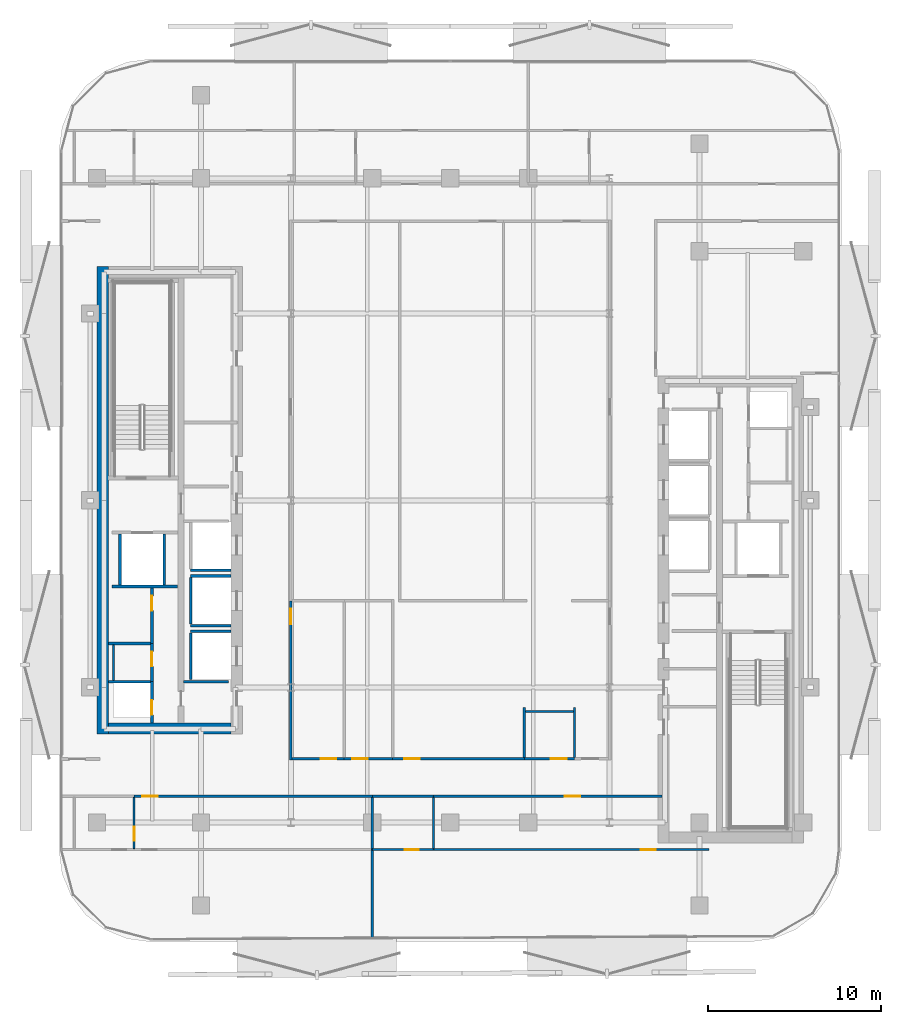
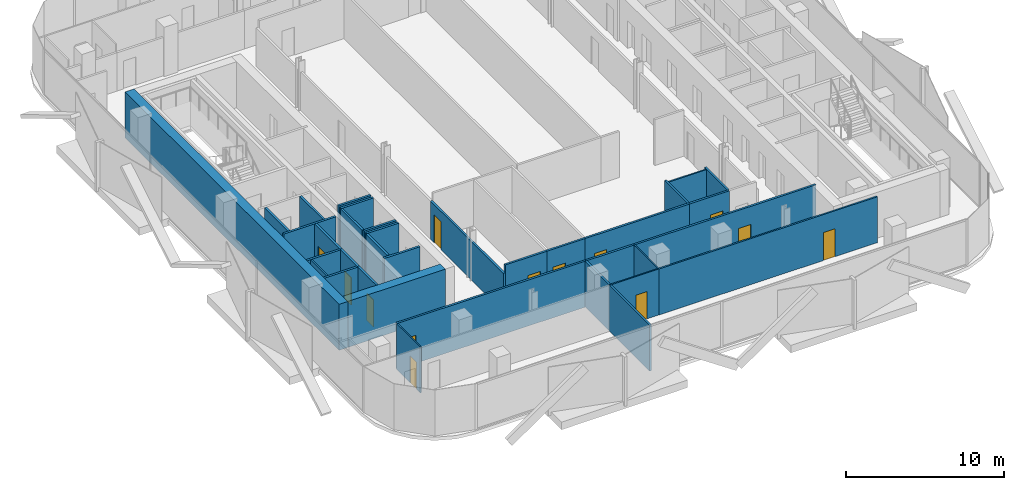
# One storey, part 3 of 16: 35 walls, 13 doors, 13 openings.
"""IFC4 building model written with IfcOpenShell, lengths in metres."""

import ifcopenshell
import ifcopenshell.guid

model = None  # the IFC model being written
_history = None  # IfcOwnerHistory: only IFC2X3 demands one
_inside = {}  # id of a spatial element -> (the spatial element, [elements in it])
_under = {}  # id of a project, library or spatial element -> (it, [spatial elements below it])
_declared = {}  # id of a project -> (the project, [libraries it declares])
_typed = {}  # id of a type object -> (the type object, [elements of that type])
_made_of = {}  # id of a material, layer set ... -> (it, [elements and type objects made of it])


def new_model(schema):
    """Start an empty IFC model of exactly this schema.

    Asked for "IFC4X3", IfcOpenShell would pick the latest addendum, in which some entities
    have other attributes; the version numbers below select the first issue.
    IFC2X3 requires an IfcOwnerHistory on every rooted entity: one is made here for all.
    """
    global model, _history
    if schema == "IFC4X3":
        model = ifcopenshell.file(schema_version=(4, 3, 0, 0))
    else:
        model = ifcopenshell.file(schema=schema)
    _inside.clear()
    _under.clear()
    _declared.clear()
    _typed.clear()
    _made_of.clear()
    _history = None
    if model.schema == "IFC2X3":
        org = make("IfcOrganization", Name="unknown")
        user = make(
            "IfcPersonAndOrganization",
            ThePerson=make("IfcPerson", FamilyName="unknown"),
            TheOrganization=org,
        )
        app = make(
            "IfcApplication",
            ApplicationDeveloper=org,
            Version="unknown",
            ApplicationFullName="unknown",
            ApplicationIdentifier="unknown",
        )
        _history = make(
            "IfcOwnerHistory",
            OwningUser=user,
            OwningApplication=app,
            ChangeAction="ADDED",
            CreationDate=0,
        )
    return model


def make(cls, **values):
    """One entity of the class cls with the attributes given. An attribute that is None is left unset."""
    return model.create_entity(
        cls, **{name: value for name, value in values.items() if value is not None}
    )


def rooted(cls, **values):
    """An entity with a GlobalId (a new one), such as an element, a storey or a relation."""
    return make(cls, GlobalId=ifcopenshell.guid.new(), OwnerHistory=_history, **values)


def si_unit(unit_type, name, prefix=None):
    """IfcSIUnit, for example si_unit("LENGTHUNIT", "METRE", prefix="MILLI")."""
    return make("IfcSIUnit", UnitType=unit_type, Prefix=prefix, Name=name)


def assignment(units):
    """IfcUnitAssignment: the units of a project."""
    return None if units is None else make("IfcUnitAssignment", Units=units)


def point(xyz):
    """IfcCartesianPoint."""
    return None if xyz is None else make("IfcCartesianPoint", Coordinates=xyz)


def direction(xyz):
    """IfcDirection."""
    return None if xyz is None else make("IfcDirection", DirectionRatios=xyz)


def frame(location, z_axis=None, x_axis=None):
    """IfcAxis2Placement3D, a coordinate frame: its origin and axes. An axis left out is left unset."""
    return make(
        "IfcAxis2Placement3D",
        Location=point(location),
        Axis=direction(z_axis),
        RefDirection=direction(x_axis),
    )


def frame_2d(location, x_axis=None):
    """IfcAxis2Placement2D, a coordinate frame in the plane: its origin and x axis."""
    return make(
        "IfcAxis2Placement2D", Location=point(location), RefDirection=direction(x_axis)
    )


def origin():
    """The frame at (0, 0, 0) with its axes left unset."""
    return frame((0.0, 0.0, 0.0))


def place(relative_to, where):
    """IfcLocalPlacement: puts the frame where relative to a parent placement (None: the world)."""
    return make(
        "IfcLocalPlacement", PlacementRelTo=relative_to, RelativePlacement=where
    )


def context(
    kind, dimensions, precision=None, world=None, true_north=None, identifier=None
):
    """IfcGeometricRepresentationContext, for example the 3D "Model" context."""
    return make(
        "IfcGeometricRepresentationContext",
        ContextIdentifier=identifier,
        ContextType=kind,
        CoordinateSpaceDimension=dimensions,
        Precision=precision,
        WorldCoordinateSystem=world,
        TrueNorth=true_north,
    )


def subcontext(parent, identifier, kind, view, scale=None):
    """IfcGeometricRepresentationSubContext, for example "Body" below "Model"."""
    return make(
        "IfcGeometricRepresentationSubContext",
        ContextIdentifier=identifier,
        ContextType=kind,
        ParentContext=parent,
        TargetScale=scale,
        TargetView=view,
    )


def project(units=None, contexts=None):
    """IfcProject with its units and contexts."""
    return rooted(
        "IfcProject",
        Name="project",
        RepresentationContexts=contexts,
        UnitsInContext=assignment(units),
    )


def spatial(cls, under=None, at=None, **own):
    """A site, building, storey or space (cls), placed at a placement, below another one or the project."""
    s = rooted(cls, ObjectPlacement=at, **own)
    if under is not None:
        _under.setdefault(under.id(), (under, []))[1].append(s)
    return s


def profile(cls, at=None, kind="AREA", **sizes):
    """A parametric profile (cls). Its sizes go by their IFC names, for example OverallWidth=200.0."""
    return make(cls, ProfileType=kind, Position=at, **sizes)


def rectangle(**sizes):
    """IfcRectangleProfileDef."""
    return profile("IfcRectangleProfileDef", **sizes)


def extrude(swept, where, along, depth):
    """IfcExtrudedAreaSolid: the profile swept, set in the frame where, extruded along a direction by depth."""
    return make(
        "IfcExtrudedAreaSolid",
        SweptArea=swept,
        Position=where,
        ExtrudedDirection=direction(along),
        Depth=depth,
    )


def shape(context_of_items, identifier, shape_type, items):
    """IfcShapeRepresentation: the items that make up one representation, for example the "Body"."""
    return make(
        "IfcShapeRepresentation",
        ContextOfItems=context_of_items,
        RepresentationIdentifier=identifier,
        RepresentationType=shape_type,
        Items=items,
    )


def material(Name=None, Category=None):
    """IfcMaterial."""
    return make("IfcMaterial", Name=Name, Category=Category)


def layer(
    of_material, thickness, ventilated=None, Name=None, Category=None, Priority=None
):
    """IfcMaterialLayer: one layer of a wall or slab, of a material (None: an air gap)."""
    return make(
        "IfcMaterialLayer",
        Material=of_material,
        LayerThickness=thickness,
        IsVentilated=ventilated,
        Name=Name,
        Category=Category,
        Priority=Priority,
    )


def layer_set(layers, Name=None):
    """IfcMaterialLayerSet."""
    return make("IfcMaterialLayerSet", MaterialLayers=layers, LayerSetName=Name)


def made_of(thing, what):
    """Note that an element or type object is made of a material, layer set ...; save() writes the relation."""
    if what is not None:
        _made_of.setdefault(what.id(), (what, []))[1].append(thing)
    return thing


def type_object(cls, material=None, **own):
    """A type object (cls), such as IfcWallType, which elements share."""
    return made_of(rooted(cls, **own), material)


def element(
    cls,
    number,
    at=None,
    inside=None,
    cuts=None,
    type_object=None,
    material=None,
    context=None,
    identifier="Body",
    shape_type=None,
    held_by="IfcProductDefinitionShape",
    body=None,
    shapes=None,
    **own,
):
    """One element of the class cls, such as IfcWall. Its Tag is "e" and its number.

    at: its placement. inside: the storey or other place that contains it. cuts: it is an
    opening in that element (IfcRelVoidsElement). A single representation is given by context,
    identifier, shape_type and body (its items); several are given by shapes. held_by: the class
    of the entity that holds the representations. save() writes the other relations.
    """
    e = rooted(cls, Tag="e%d" % number, ObjectPlacement=at, **own)
    if body is not None:
        shapes = [shape(context, identifier, shape_type, body)]
    if shapes is not None:
        e.Representation = make(held_by, Representations=shapes)
    if inside is not None:
        _inside.setdefault(inside.id(), (inside, []))[1].append(e)
    if cuts is not None:
        rooted(
            "IfcRelVoidsElement", RelatingBuildingElement=cuts, RelatedOpeningElement=e
        )
    if type_object is not None:
        _typed.setdefault(type_object.id(), (type_object, []))[1].append(e)
    return made_of(e, material)


def fill(opening, filler):
    """IfcRelFillsElement: the door or window that sits in an opening."""
    return rooted(
        "IfcRelFillsElement",
        RelatingOpeningElement=opening,
        RelatedBuildingElement=filler,
    )


def aggregate(whole, parts):
    """IfcRelAggregates: a whole, such as a stair, and the parts it consists of."""
    return rooted("IfcRelAggregates", RelatingObject=whole, RelatedObjects=parts)


def save(model, path):
    """Write the relations noted so far, then the file.

    IfcRelAggregates (storeys below a building ...), IfcRelContainedInSpatialStructure (elements
    in a storey), IfcRelDefinesByType, IfcRelAssociatesMaterial and IfcRelDeclares: one each for
    every whole, place, type object, material and project.
    """
    for whole, parts in _under.values():
        aggregate(whole, parts)
    for where, things in _inside.values():
        rooted(
            "IfcRelContainedInSpatialStructure",
            RelatedElements=things,
            RelatingStructure=where,
        )
    for kind, things in _typed.values():
        rooted("IfcRelDefinesByType", RelatedObjects=things, RelatingType=kind)
    for what, things in _made_of.values():
        rooted("IfcRelAssociatesMaterial", RelatedObjects=things, RelatingMaterial=what)
    for by, libraries in _declared.values():
        rooted("IfcRelDeclares", RelatingContext=by, RelatedDefinitions=libraries)
    model.write(path)


model = new_model("IFC4")

# Units and contexts
model_context = context("Model", 3, precision=1e-05, world=origin(), true_north=direction((0.0, 1.0)))
body_context = subcontext(model_context, "Body", "Model", "MODEL_VIEW")
ifc_project = project(units=[si_unit("LENGTHUNIT", "METRE"), si_unit("AREAUNIT", "SQUARE_METRE"), si_unit("VOLUMEUNIT", "CUBIC_METRE"), si_unit("PLANEANGLEUNIT", "RADIAN"), si_unit("MASSUNIT", "GRAM", prefix="KILO")], contexts=[model_context])

# Site, building, storey
site_placement = place(None, origin())
site = spatial("IfcSite", under=ifc_project, at=site_placement, CompositionType="ELEMENT")
building_placement = place(site_placement, origin())
building = spatial("IfcBuilding", under=site, at=building_placement, Name="Khairoan Windgate Tower", CompositionType="ELEMENT")
storey_placement = place(building_placement, frame((0.0, 0.0, 184.0)))
storey = spatial("IfcBuildingStorey", under=building, at=storey_placement, Name="L42", CompositionType="ELEMENT", Elevation=184.0)

# Wall, opening, door
ifc_material_1 = material(Name="Moisture-Resistant Gypsum Partition", Category="gypsum")
ifc_layer_1 = layer(ifc_material_1, 0.10009765625, Name="Moisture-Resistant Gypsum Partition")
ifc_layer_set_1 = layer_set([ifc_layer_1], Name="Moisture-Resistant Gypsum Partition")
wall_type_1 = type_object("IfcWallType", Name="Bathroom Wet-Area Partition Wall", PredefinedType="PARTITIONING", material=ifc_layer_set_1)
wall_1_placement = place(storey_placement, frame((-18.260009765625, -20.1201171875, 0.0), z_axis=(0.0, 0.0, 1.0), x_axis=(0.0, 1.0, 0.0)))
wall_1 = element("IfcWall", 1, at=wall_1_placement, inside=storey, type_object=wall_type_1, Name="L42 Interior Partition 064", PredefinedType="PARTITIONING", context=body_context, shape_type="SweptSolid", body=[
    extrude(rectangle(XDim=2.965087890625, YDim=0.10009765625, at=frame_2d((1.482421875, 0.0))), origin(), (0.0, 0.0, 1.0), 3.5400390625),
])
opening_1_placement = place(wall_1_placement, frame((0.4599609375, 0.0, 0.0)))
opening_1 = element("IfcOpeningElement", 2, at=opening_1_placement, cuts=wall_1, Name="Opening ID-BTH", PredefinedType="OPENING", context=body_context, shape_type="SweptSolid", body=[
    extrude(rectangle(XDim=0.800048828125, YDim=2.10009765625, at=frame_2d((0.39990234375, 1.050048828125))), frame((0.0, 0.06005859375, 0.0), z_axis=(0.0, -1.0, 0.0), x_axis=(1.0, 0.0, 0.0)), (0.0, 0.0, 1.0), 0.1201171875),
])
ifc_material_2 = material(Name="Teak Veneer Timber Leaf", Category="wood")
door_type_1 = type_object("IfcDoorType", Name="Internal Bathroom Door ID-BTH 800x2100", OperationType="NOTDEFINED", PredefinedType="DOOR", material=ifc_material_2)
door_1_placement = place(opening_1_placement, origin())
door_1 = element("IfcDoor", 3, at=door_1_placement, inside=storey, type_object=door_type_1, Name="L42 L42-51-L42-52 Door", OperationType="SINGLE_SWING_LEFT", OverallHeight=2.10009765625, OverallWidth=0.800048828125, PredefinedType="DOOR", context=body_context, shape_type="SweptSolid", body=[
    extrude(rectangle(XDim=0.800048828125, YDim=2.10009765625, at=frame_2d((0.39990234375, 1.050048828125))), frame((0.0, 0.02490234375, 0.0), z_axis=(0.0, -1.0, 0.0), x_axis=(1.0, 0.0, 0.0)), (0.0, 0.0, 1.0), 0.050048828125),
])
fill(opening_1, door_1)

# Wall
wall_2_placement = place(storey_placement, frame((-0.9599609375, -20.1201171875, 0.0), z_axis=(0.0, 0.0, 1.0), x_axis=(0.0, 1.0, 0.0)))
element("IfcWall", 4, at=wall_2_placement, inside=storey, type_object=wall_type_1, Name="L42 Interior Partition 069", PredefinedType="PARTITIONING", context=body_context, shape_type="SweptSolid", body=[
    extrude(rectangle(XDim=2.965087890625, YDim=0.10009765625, at=frame_2d((1.482421875, 0.0))), origin(), (0.0, 0.0, 1.0), 3.5400390625),
])

# Wall, opening, door
wall_3_placement = place(storey_placement, frame((-4.5, -20.169921875, 0.0), z_axis=(0.0, 0.0, 1.0), x_axis=(1.0, 0.0, 0.0)))
wall_3 = element("IfcWall", 5, at=wall_3_placement, inside=storey, type_object=wall_type_1, Name="L42 Interior Partition 070", PredefinedType="PARTITIONING", context=body_context, shape_type="SweptSolid", body=[
    extrude(rectangle(XDim=3.5400390625, YDim=0.10009765625, at=frame_2d((1.77001953125, 0.0))), origin(), (0.0, 0.0, 1.0), 3.5400390625),
])
opening_2_placement = place(wall_3_placement, frame((1.87548828125, 0.0, 0.0)))
opening_2 = element("IfcOpeningElement", 6, at=opening_2_placement, cuts=wall_3, Name="Opening ID-BTH", PredefinedType="OPENING", context=body_context, shape_type="SweptSolid", body=[
    extrude(rectangle(XDim=0.800048828125, YDim=2.10009765625, at=frame_2d((0.39990234375, 1.050048828125))), frame((0.0, 0.06005859375, 0.0), z_axis=(0.0, -1.0, 0.0), x_axis=(1.0, 0.0, 0.0)), (0.0, 0.0, 1.0), 0.1201171875),
])
door_2_placement = place(opening_2_placement, origin())
door_2 = element("IfcDoor", 7, at=door_2_placement, inside=storey, type_object=door_type_1, Name="L42 L42-54-L42-56 Door", OperationType="SINGLE_SWING_LEFT", OverallHeight=2.10009765625, OverallWidth=0.800048828125, PredefinedType="DOOR", context=body_context, shape_type="SweptSolid", body=[
    extrude(rectangle(XDim=0.800048828125, YDim=2.10009765625, at=frame_2d((0.39990234375, 1.050048828125))), frame((0.0, 0.02490234375, 0.0), z_axis=(0.0, -1.0, 0.0), x_axis=(1.0, 0.0, 0.0)), (0.0, 0.0, 1.0), 0.050048828125),
])
fill(opening_2, door_2)

# Walls
wall_4_placement = place(storey_placement, frame((-19.449951171875, -10.389892578125, 0.0), z_axis=(0.0, 0.0, 1.0), x_axis=(0.0, 1.0, 0.0)))
element("IfcWall", 8, at=wall_4_placement, inside=storey, type_object=wall_type_1, Name="L42 Wet Room Side Wall 073", PredefinedType="PARTITIONING", context=body_context, shape_type="SweptSolid", body=[
    extrude(rectangle(XDim=2.039794921875, YDim=0.10009765625, at=frame_2d((1.02001953125, 0.0))), origin(), (0.0, 0.0, 1.0), 3.5400390625),
])
wall_5_placement = place(storey_placement, frame((4.35009765625, -12.199951171875, 0.0), z_axis=(0.0, 0.0, 1.0), x_axis=(1.0, 0.0, 0.0)))
element("IfcWall", 9, at=wall_5_placement, inside=storey, type_object=wall_type_1, Name="L42 Wet Room Side Wall 075", PredefinedType="PARTITIONING", context=body_context, shape_type="SweptSolid", body=[
    extrude(rectangle(XDim=2.760009765625, YDim=0.10009765625, at=frame_2d((1.3798828125, 0.0))), origin(), (0.0, 0.0, 1.0), 3.5400390625),
])
ifc_material_3 = material(Name="Concrete C40/50", Category="concrete")
ifc_layer_2 = layer(ifc_material_3, 0.159912109375, Name="Concrete C40/50")
ifc_layer_set_2 = layer_set([ifc_layer_2], Name="Concrete C40/50")
wall_type_2 = type_object("IfcWallType", Name="Core and Hoistway Enclosure Wall", PredefinedType="STANDARD", material=ifc_layer_set_2)
for number, where, z_axis, x_axis, name in (
    (10, (-14.989990234375, -4.0400390625, 0.0), (0.0, 0.0, 1.0), (1.0, 0.0, 0.0), "L42 Lift PL4 Hoistway Divider S"),
    (11, (-14.989990234375, -7.239990234375, 0.0), (0.0, 0.0, 1.0), (1.0, 0.0, 0.0), "L42 Lift PL5 Hoistway Divider S"),
    (12, (-14.989990234375, -4.360107421875, 0.0), (0.0, 0.0, 1.0), (1.0, 0.0, 0.0), "L42 Lift PL5 Hoistway Divider N"),
):
    element("IfcWall", number, at=place(storey_placement, frame(where, z_axis=z_axis, x_axis=x_axis)), inside=storey, type_object=wall_type_2, Name=name, PredefinedType="STANDARD", context=body_context, shape_type="SweptSolid", body=[
        extrude(rectangle(XDim=2.340087890625, YDim=0.159912109375, at=frame_2d((1.169921875, 0.0))), origin(), (0.0, 0.0, 1.0), 3.5400390625),
    ])
wall_6_placement = place(storey_placement, frame((-14.989990234375, -7.14990234375, 0.0), z_axis=(0.0, 0.0, 1.0), x_axis=(0.0, 1.0, 0.0)))
element("IfcWall", 13, at=wall_6_placement, inside=storey, type_object=wall_type_2, Name="L42 Lift PL5 Hoistway Back Wall", PredefinedType="STANDARD", context=body_context, shape_type="SweptSolid", body=[
    extrude(rectangle(XDim=2.699951171875, YDim=0.159912109375, at=frame_2d((1.35009765625, 0.0))), origin(), (0.0, 0.0, 1.0), 3.5400390625),
])
wall_7_placement = place(storey_placement, frame((-14.989990234375, -7.56005859375, 0.0), z_axis=(0.0, 0.0, 1.0), x_axis=(1.0, 0.0, 0.0)))
element("IfcWall", 14, at=wall_7_placement, inside=storey, type_object=wall_type_2, Name="L42 Lift PL6 Hoistway Divider N", PredefinedType="STANDARD", context=body_context, shape_type="SweptSolid", body=[
    extrude(rectangle(XDim=2.340087890625, YDim=0.159912109375, at=frame_2d((1.169921875, 0.0))), origin(), (0.0, 0.0, 1.0), 3.5400390625),
])
wall_8_placement = place(storey_placement, frame((-14.989990234375, -10.35009765625, 0.0), z_axis=(0.0, 0.0, 1.0), x_axis=(0.0, 1.0, 0.0)))
element("IfcWall", 15, at=wall_8_placement, inside=storey, type_object=wall_type_2, Name="L42 Lift PL6 Hoistway Back Wall", PredefinedType="STANDARD", context=body_context, shape_type="SweptSolid", body=[
    extrude(rectangle(XDim=2.7001953125, YDim=0.159912109375, at=frame_2d((1.35009765625, 0.0))), origin(), (0.0, 0.0, 1.0), 3.5400390625),
])
wall_9_placement = place(storey_placement, frame((-19.550048828125, -4.97998046875, 0.0), z_axis=(0.0, 0.0, 1.0), x_axis=(1.0, 0.0, 0.0)))
element("IfcWall", 16, at=wall_9_placement, inside=storey, type_object=wall_type_2, Name="L42 Core Shaft Wall SW-FL2B-L42", PredefinedType="STANDARD", context=body_context, shape_type="SweptSolid", body=[
    extrude(rectangle(XDim=3.800048828125, YDim=0.159912109375, at=frame_2d((1.89990234375, 0.0))), origin(), (0.0, 0.0, 1.0), 3.5400390625),
])
for number, where, z_axis, x_axis, name in (
    (17, (-19.080078125, -4.89990234375, 0.0), (0.0, 0.0, 1.0), (0.0, 1.0, 0.0), "L42 Core Shaft Wall SW-FL2W-L42"),
    (18, (-16.52001953125, -4.89990234375, 0.0), (0.0, 0.0, 1.0), (0.0, 1.0, 0.0), "L42 Core Shaft Wall SW-FL2E-L42"),
):
    element("IfcWall", number, at=place(storey_placement, frame(where, z_axis=z_axis, x_axis=x_axis)), inside=storey, type_object=wall_type_2, Name=name, PredefinedType="STANDARD", context=body_context, shape_type="SweptSolid", body=[
        extrude(rectangle(XDim=2.9599609375, YDim=0.159912109375, at=frame_2d((1.47998046875, 0.0))), origin(), (0.0, 0.0, 1.0), 3.5400390625),
    ])
wall_10_placement = place(storey_placement, frame((-15.39990234375, -10.47998046875, 0.0), z_axis=(0.0, 0.0, 1.0), x_axis=(1.0, 0.0, 0.0)))
element("IfcWall", 19, at=wall_10_placement, inside=storey, type_object=wall_type_2, Name="L42 Core Shaft Wall SW-WSV-L42", PredefinedType="STANDARD", context=body_context, shape_type="SweptSolid", body=[
    extrude(rectangle(XDim=2.599853515625, YDim=0.159912109375, at=frame_2d((1.2998046875, 0.0))), origin(), (0.0, 0.0, 1.0), 3.5400390625),
])
ifc_material_4 = material(Name="Acoustic Fire-Rated Gypsum Partition", Category="gypsum")
ifc_layer_3 = layer(ifc_material_4, 0.139892578125, Name="Acoustic Fire-Rated Gypsum Partition")
ifc_layer_set_3 = layer_set([ifc_layer_3], Name="Acoustic Fire-Rated Gypsum Partition")
wall_type_3 = type_object("IfcWallType", Name="Inter-Tenancy Compartment Wall", PredefinedType="PARTITIONING", material=ifc_layer_set_3)
for number, where, z_axis, x_axis, name in (
    (20, (4.280029296875, -14.844970703125, 0.0), (0.0, 0.0, 1.0), (0.0, 1.0, 0.0), "L42 Interior Partition 044"),
    (21, (7.179931640625, -14.844970703125, 0.0), (0.0, 0.0, 1.0), (0.0, 1.0, 0.0), "L42 Interior Partition 047"),
):
    element("IfcWall", number, at=place(storey_placement, frame(where, z_axis=z_axis, x_axis=x_axis)), inside=storey, type_object=wall_type_3, Name=name, PredefinedType="PARTITIONING", context=body_context, shape_type="SweptSolid", body=[
        extrude(rectangle(XDim=2.885009765625, YDim=0.139892578125, at=frame_2d((1.4423828125, 0.0))), origin(), (0.0, 0.0, 1.0), 3.5400390625),
    ])
wall_11_placement = place(storey_placement, frame((-4.5, -20.169921875, 0.0), z_axis=(0.0, 0.0, 1.0), x_axis=(0.0, 1.0, 0.0)))
element("IfcWall", 22, at=wall_11_placement, inside=storey, type_object=wall_type_3, Name="L42 Interior Partition 067", PredefinedType="PARTITIONING", context=body_context, shape_type="SweptSolid", body=[
    extrude(rectangle(XDim=3.014892578125, YDim=0.139892578125, at=frame_2d((1.50732421875, 0.0))), origin(), (0.0, 0.0, 1.0), 3.5400390625),
])
wall_12_placement = place(storey_placement, frame((-4.5, -25.2919921875, 0.0), z_axis=(0.0, 0.0, 1.0), x_axis=(0.0, 1.0, 0.0)))
element("IfcWall", 23, at=wall_12_placement, inside=storey, type_object=wall_type_3, Name="L42 Interior Partition 068", PredefinedType="PARTITIONING", context=body_context, shape_type="SweptSolid", body=[
    extrude(rectangle(XDim=5.1220703125, YDim=0.139892578125, at=frame_2d((2.56103515625, 0.0))), origin(), (0.0, 0.0, 1.0), 3.5400390625),
])

# Wall, opening, door
ifc_material_5 = material(Name="Gypsum Stud Partition", Category="gypsum")
ifc_layer_4 = layer(ifc_material_5, 0.1201171875, Name="Gypsum Stud Partition")
ifc_layer_set_4 = layer_set([ifc_layer_4], Name="Gypsum Stud Partition")
wall_type_4 = type_object("IfcWallType", Name="Internal Room Partition Wall", PredefinedType="PARTITIONING", material=ifc_layer_set_4)
wall_13_placement = place(storey_placement, frame((-0.9599609375, -20.169921875, 0.0), z_axis=(0.0, 0.0, 1.0), x_axis=(1.0, 0.0, 0.0)))
wall_13 = element("IfcWall", 24, at=wall_13_placement, inside=storey, type_object=wall_type_4, Name="L42 Interior Partition 071", PredefinedType="PARTITIONING", context=body_context, shape_type="SweptSolid", body=[
    extrude(rectangle(XDim=15.919921875, YDim=0.1201171875, at=frame_2d((7.9599609375, 0.0))), origin(), (0.0, 0.0, 1.0), 3.5400390625),
])
opening_3_placement = place(wall_13_placement, frame((11.97412109375, 0.0, 0.0)))
opening_3 = element("IfcOpeningElement", 25, at=opening_3_placement, cuts=wall_13, Name="Opening ID-RM", PredefinedType="OPENING", context=body_context, shape_type="SweptSolid", body=[
    extrude(rectangle(XDim=0.860107421875, YDim=2.14990234375, at=frame_2d((0.43017578125, 1.074951171875))), frame((0.0, 0.070068359375, 0.0), z_axis=(0.0, -1.0, 0.0), x_axis=(1.0, 0.0, 0.0)), (0.0, 0.0, 1.0), 0.14013671875),
])
ifc_material_6 = material(Name="Teak Veneer Timber Leaf", Category="wood")
door_type_2 = type_object("IfcDoorType", Name="Internal Bedroom and Office Door ID-RM 860x2150", OperationType="NOTDEFINED", PredefinedType="DOOR", material=ifc_material_6)
door_3_placement = place(opening_3_placement, origin())
door_3 = element("IfcDoor", 26, at=door_3_placement, inside=storey, type_object=door_type_2, Name="L42 L42-55-L42-56 Door", OperationType="SINGLE_SWING_RIGHT", OverallHeight=2.14990234375, OverallWidth=0.860107421875, PredefinedType="DOOR", context=body_context, shape_type="SweptSolid", body=[
    extrude(rectangle(XDim=0.860107421875, YDim=2.14990234375, at=frame_2d((0.43017578125, 1.074951171875))), frame((0.0, 0.02490234375, 0.0), z_axis=(0.0, -1.0, 0.0), x_axis=(1.0, 0.0, 0.0)), (0.0, 0.0, 1.0), 0.050048828125),
])
fill(opening_3, door_3)

ifc_material_7 = material(Name="Concrete C40/50", Category="concrete")
ifc_layer_5 = layer(ifc_material_7, 0.159912109375, Name="Concrete C40/50")
ifc_layer_set_5 = layer_set([ifc_layer_5], Name="Concrete C40/50")
wall_type_5 = type_object("IfcWallType", Name="Plant and Refuge Compartment Wall", PredefinedType="PARTITIONING", material=ifc_layer_set_5)
wall_14_placement = place(storey_placement, frame((-17.22998046875, -12.85009765625, 0.0), z_axis=(0.0, 0.0, 1.0), x_axis=(0.0, 1.0, 0.0)))
wall_14 = element("IfcWall", 27, at=wall_14_placement, inside=storey, type_object=wall_type_5, Name="L42 Interior Partition 001", PredefinedType="PARTITIONING", context=body_context, shape_type="SweptSolid", body=[
    extrude(rectangle(XDim=2.380126953125, YDim=0.159912109375, at=frame_2d((1.18994140625, 0.0))), origin(), (0.0, 0.0, 1.0), 3.5400390625),
])
opening_4_placement = place(wall_14_placement, frame((0.4599609375, 0.0, 0.0)))
opening_4 = element("IfcOpeningElement", 28, at=opening_4_placement, cuts=wall_14, Name="Opening FD-SRV", PredefinedType="OPENING", context=body_context, shape_type="SweptSolid", body=[
    extrude(rectangle(XDim=0.85009765625, YDim=2.10009765625, at=frame_2d((0.425048828125, 1.050048828125))), frame((0.0, 0.08984375, 0.0), z_axis=(0.0, -1.0, 0.0), x_axis=(1.0, 0.0, 0.0)), (0.0, 0.0, 1.0), 0.179931640625),
])
ifc_material_8 = material(Name="Steel S355", Category="steel")
door_type_3 = type_object("IfcDoorType", Name="Core Service and Riser Fire Door FD-SRV 850x2100", OperationType="NOTDEFINED", PredefinedType="DOOR", material=ifc_material_8)
door_4_placement = place(opening_4_placement, origin())
door_4 = element("IfcDoor", 29, at=door_4_placement, inside=storey, type_object=door_type_3, Name="L42 L42-04-L42-05 Door", OperationType="SINGLE_SWING_LEFT", OverallHeight=2.10009765625, OverallWidth=0.85009765625, PredefinedType="DOOR", context=body_context, shape_type="SweptSolid", body=[
    extrude(rectangle(XDim=0.85009765625, YDim=2.10009765625, at=frame_2d((0.425048828125, 1.050048828125))), frame((0.0, 0.02490234375, 0.0), z_axis=(0.0, -1.0, 0.0), x_axis=(1.0, 0.0, 0.0)), (0.0, 0.0, 1.0), 0.050048828125),
])
fill(opening_4, door_4)

wall_15_placement = place(storey_placement, frame((-17.22998046875, -10.469970703125, 0.0), z_axis=(0.0, 0.0, 1.0), x_axis=(0.0, 1.0, 0.0)))
wall_15 = element("IfcWall", 30, at=wall_15_placement, inside=storey, type_object=wall_type_5, Name="L42 Interior Partition 002", PredefinedType="PARTITIONING", context=body_context, shape_type="SweptSolid", body=[
    extrude(rectangle(XDim=2.199951171875, YDim=0.159912109375, at=frame_2d((1.10009765625, 0.0))), origin(), (0.0, 0.0, 1.0), 3.5400390625),
])
opening_5_placement = place(wall_15_placement, frame((0.889892578125, 0.0, 0.0)))
opening_5 = element("IfcOpeningElement", 31, at=opening_5_placement, cuts=wall_15, Name="Opening FD-SRV", PredefinedType="OPENING", context=body_context, shape_type="SweptSolid", body=[
    extrude(rectangle(XDim=0.85009765625, YDim=2.10009765625, at=frame_2d((0.425048828125, 1.050048828125))), frame((0.0, 0.08984375, 0.0), z_axis=(0.0, -1.0, 0.0), x_axis=(1.0, 0.0, 0.0)), (0.0, 0.0, 1.0), 0.179931640625),
])
door_5_placement = place(opening_5_placement, origin())
door_5 = element("IfcDoor", 32, at=door_5_placement, inside=storey, type_object=door_type_3, Name="L42 L42-04-L42-06 Door", OperationType="SINGLE_SWING_RIGHT", OverallHeight=2.10009765625, OverallWidth=0.85009765625, PredefinedType="DOOR", context=body_context, shape_type="SweptSolid", body=[
    extrude(rectangle(XDim=0.85009765625, YDim=2.10009765625, at=frame_2d((0.425048828125, 1.050048828125))), frame((0.0, 0.02490234375, 0.0), z_axis=(0.0, -1.0, 0.0), x_axis=(1.0, 0.0, 0.0)), (0.0, 0.0, 1.0), 0.050048828125),
])
fill(opening_5, door_5)

wall_16_placement = place(storey_placement, frame((-17.22998046875, -8.27001953125, 0.0), z_axis=(0.0, 0.0, 1.0), x_axis=(0.0, 1.0, 0.0)))
wall_16 = element("IfcWall", 33, at=wall_16_placement, inside=storey, type_object=wall_type_5, Name="L42 Interior Partition 003", PredefinedType="PARTITIONING", context=body_context, shape_type="SweptSolid", body=[
    extrude(rectangle(XDim=3.2099609375, YDim=0.159912109375, at=frame_2d((1.60498046875, 0.0))), origin(), (0.0, 0.0, 1.0), 3.5400390625),
])
opening_6_placement = place(wall_16_placement, frame((1.89990234375, 0.0, 0.0)))
opening_6 = element("IfcOpeningElement", 34, at=opening_6_placement, cuts=wall_16, Name="Opening FD-SRV", PredefinedType="OPENING", context=body_context, shape_type="SweptSolid", body=[
    extrude(rectangle(XDim=0.85009765625, YDim=2.10009765625, at=frame_2d((0.425048828125, 1.050048828125))), frame((0.0, 0.08984375, 0.0), z_axis=(0.0, -1.0, 0.0), x_axis=(1.0, 0.0, 0.0)), (0.0, 0.0, 1.0), 0.179931640625),
])
door_6_placement = place(opening_6_placement, origin())
door_6 = element("IfcDoor", 35, at=door_6_placement, inside=storey, type_object=door_type_3, Name="L42 L42-04-L42-07 Door", OperationType="SINGLE_SWING_LEFT", OverallHeight=2.10009765625, OverallWidth=0.85009765625, PredefinedType="DOOR", context=body_context, shape_type="SweptSolid", body=[
    extrude(rectangle(XDim=0.85009765625, YDim=2.10009765625, at=frame_2d((0.425048828125, 1.050048828125))), frame((0.0, 0.02490234375, 0.0), z_axis=(0.0, -1.0, 0.0), x_axis=(1.0, 0.0, 0.0)), (0.0, 0.0, 1.0), 0.050048828125),
])
fill(opening_6, door_6)

# Walls
for number, where, z_axis, x_axis, name in (
    (36, (-19.75, -10.469970703125, 0.0), (0.0, 0.0, 1.0), (1.0, 0.0, 0.0), "L42 Interior Partition 004"),
    (37, (-19.75, -8.27001953125, 0.0), (0.0, 0.0, 1.0), (1.0, 0.0, 0.0), "L42 Interior Partition 005"),
):
    element("IfcWall", number, at=place(storey_placement, frame(where, z_axis=z_axis, x_axis=x_axis)), inside=storey, type_object=wall_type_5, Name=name, PredefinedType="PARTITIONING", context=body_context, shape_type="SweptSolid", body=[
        extrude(rectangle(XDim=2.43994140625, YDim=0.159912109375, at=frame_2d((1.219970703125, 0.0))), origin(), (0.0, 0.0, 1.0), 3.5400390625),
    ])

# Wall, opening, door
ifc_material_9 = material(Name="Acoustic Fire-Rated Gypsum Partition", Category="gypsum")
ifc_layer_6 = layer(ifc_material_9, 0.14990234375, Name="Acoustic Fire-Rated Gypsum Partition")
ifc_layer_set_6 = layer_set([ifc_layer_6], Name="Acoustic Fire-Rated Gypsum Partition")
wall_type_6 = type_object("IfcWallType", Name="Rated Corridor Partition Wall", PredefinedType="PARTITIONING", material=ifc_layer_set_6)
wall_17_placement = place(storey_placement, frame((-9.219970703125, -14.9951171875, 0.0), z_axis=(0.0, 0.0, 1.0), x_axis=(0.0, 1.0, 0.0)))
wall_17 = element("IfcWall", 38, at=wall_17_placement, inside=storey, type_object=wall_type_6, Name="L42 Interior Partition 014", PredefinedType="PARTITIONING", context=body_context, shape_type="SweptSolid", body=[
    extrude(rectangle(XDim=9.195068359375, YDim=0.14990234375, at=frame_2d((4.59765625, 0.0))), origin(), (0.0, 0.0, 1.0), 2.951904296875),
])
opening_7_placement = place(wall_17_placement, frame((7.8349609375, 0.0, 0.0)))
opening_7 = element("IfcOpeningElement", 39, at=opening_7_placement, cuts=wall_17, Name="Opening FD-ENT", PredefinedType="OPENING", context=body_context, shape_type="SweptSolid", body=[
    extrude(rectangle(XDim=0.89990234375, YDim=2.14990234375, at=frame_2d((0.449951171875, 1.074951171875))), frame((0.0, 0.0849609375, 0.0), z_axis=(0.0, -1.0, 0.0), x_axis=(1.0, 0.0, 0.0)), (0.0, 0.0, 1.0), 0.169921875),
])
ifc_material_10 = material(Name="Timber Fire-Rated Core", Category="wood")
door_type_4 = type_object("IfcDoorType", Name="Unit and Office Fire Entrance Door FD-ENT 900x2150", OperationType="NOTDEFINED", PredefinedType="DOOR", material=ifc_material_10)
door_7_placement = place(opening_7_placement, origin())
door_7 = element("IfcDoor", 40, at=door_7_placement, inside=storey, type_object=door_type_4, Name="L42 L42-30-L42-34 Door", OperationType="SINGLE_SWING_LEFT", OverallHeight=2.14990234375, OverallWidth=0.89990234375, PredefinedType="DOOR", context=body_context, shape_type="SweptSolid", body=[
    extrude(rectangle(XDim=0.89990234375, YDim=2.14990234375, at=frame_2d((0.449951171875, 1.074951171875))), frame((0.0, 0.02490234375, 0.0), z_axis=(0.0, -1.0, 0.0), x_axis=(1.0, 0.0, 0.0)), (0.0, 0.0, 1.0), 0.050048828125),
])
fill(opening_7, door_7)

wall_18_placement = place(storey_placement, frame((-9.14501953125, -14.919921875, 0.0), z_axis=(0.0, 0.0, 1.0), x_axis=(1.0, 0.0, 0.0)))
wall_18 = element("IfcWall", 41, at=wall_18_placement, inside=storey, type_object=wall_type_6, Name="L42 Interior Partition 030", PredefinedType="PARTITIONING", context=body_context, shape_type="SweptSolid", body=[
    extrude(rectangle(XDim=3.02490234375, YDim=0.14990234375, at=frame_2d((1.512451171875, 0.0))), origin(), (0.0, 0.0, 1.0), 3.5400390625),
])
opening_8_placement = place(wall_18_placement, frame((1.6650390625, 0.0, 0.0)))
opening_8 = element("IfcOpeningElement", 42, at=opening_8_placement, cuts=wall_18, Name="Opening FD-ENT", PredefinedType="OPENING", context=body_context, shape_type="SweptSolid", body=[
    extrude(rectangle(XDim=0.89990234375, YDim=2.14990234375, at=frame_2d((0.449951171875, 1.074951171875))), frame((0.0, 0.0849609375, 0.0), z_axis=(0.0, -1.0, 0.0), x_axis=(1.0, 0.0, 0.0)), (0.0, 0.0, 1.0), 0.169921875),
])
door_8_placement = place(opening_8_placement, origin())
door_8 = element("IfcDoor", 43, at=door_8_placement, inside=storey, type_object=door_type_4, Name="L42 L42-33-L42-34 Door", OperationType="SINGLE_SWING_RIGHT", OverallHeight=2.14990234375, OverallWidth=0.89990234375, PredefinedType="DOOR", context=body_context, shape_type="SweptSolid", body=[
    extrude(rectangle(XDim=0.89990234375, YDim=2.14990234375, at=frame_2d((0.449951171875, 1.074951171875))), frame((0.0, 0.02490234375, 0.0), z_axis=(0.0, -1.0, 0.0), x_axis=(1.0, 0.0, 0.0)), (0.0, 0.0, 1.0), 0.050048828125),
])
fill(opening_8, door_8)

wall_19_placement = place(storey_placement, frame((-6.1201171875, -14.919921875, 0.0), z_axis=(0.0, 0.0, 1.0), x_axis=(1.0, 0.0, 0.0)))
wall_19 = element("IfcWall", 44, at=wall_19_placement, inside=storey, type_object=wall_type_6, Name="L42 Interior Partition 031", PredefinedType="PARTITIONING", context=body_context, shape_type="SweptSolid", body=[
    extrude(rectangle(XDim=2.800048828125, YDim=0.14990234375, at=frame_2d((1.39990234375, 0.0))), origin(), (0.0, 0.0, 1.0), 3.5400390625),
])
opening_9_placement = place(wall_19_placement, frame((0.4599609375, 0.0, 0.0)))
opening_9 = element("IfcOpeningElement", 45, at=opening_9_placement, cuts=wall_19, Name="Opening FD-ENT", PredefinedType="OPENING", context=body_context, shape_type="SweptSolid", body=[
    extrude(rectangle(XDim=0.89990234375, YDim=2.14990234375, at=frame_2d((0.449951171875, 1.074951171875))), frame((0.0, 0.0849609375, 0.0), z_axis=(0.0, -1.0, 0.0), x_axis=(1.0, 0.0, 0.0)), (0.0, 0.0, 1.0), 0.169921875),
])
door_9_placement = place(opening_9_placement, origin())
door_9 = element("IfcDoor", 46, at=door_9_placement, inside=storey, type_object=door_type_4, Name="L42 L42-33-L42-35 Door", OperationType="SINGLE_SWING_LEFT", OverallHeight=2.14990234375, OverallWidth=0.89990234375, PredefinedType="DOOR", context=body_context, shape_type="SweptSolid", body=[
    extrude(rectangle(XDim=0.89990234375, YDim=2.14990234375, at=frame_2d((0.449951171875, 1.074951171875))), frame((0.0, 0.02490234375, 0.0), z_axis=(0.0, -1.0, 0.0), x_axis=(1.0, 0.0, 0.0)), (0.0, 0.0, 1.0), 0.050048828125),
])
fill(opening_9, door_9)

wall_20_placement = place(storey_placement, frame((-3.320068359375, -14.919921875, 0.0), z_axis=(0.0, 0.0, 1.0), x_axis=(1.0, 0.0, 0.0)))
wall_20 = element("IfcWall", 47, at=wall_20_placement, inside=storey, type_object=wall_type_6, Name="L42 Interior Partition 032", PredefinedType="PARTITIONING", context=body_context, shape_type="SweptSolid", body=[
    extrude(rectangle(XDim=7.60009765625, YDim=0.14990234375, at=frame_2d((3.800048828125, 0.0))), origin(), (0.0, 0.0, 1.0), 3.5400390625),
])
opening_10_placement = place(wall_20_placement, frame((0.66650390625, 0.0, 0.0)))
opening_10 = element("IfcOpeningElement", 48, at=opening_10_placement, cuts=wall_20, Name="Opening FD-ENT", PredefinedType="OPENING", context=body_context, shape_type="SweptSolid", body=[
    extrude(rectangle(XDim=0.89990234375, YDim=2.14990234375, at=frame_2d((0.449951171875, 1.074951171875))), frame((0.0, 0.0849609375, 0.0), z_axis=(0.0, -1.0, 0.0), x_axis=(1.0, 0.0, 0.0)), (0.0, 0.0, 1.0), 0.169921875),
])
door_10_placement = place(opening_10_placement, origin())
door_10 = element("IfcDoor", 49, at=door_10_placement, inside=storey, type_object=door_type_4, Name="L42 L42-33-L42-36 Door", OperationType="SINGLE_SWING_RIGHT", OverallHeight=2.14990234375, OverallWidth=0.89990234375, PredefinedType="DOOR", context=body_context, shape_type="SweptSolid", body=[
    extrude(rectangle(XDim=0.89990234375, YDim=2.14990234375, at=frame_2d((0.449951171875, 1.074951171875))), frame((0.0, 0.02490234375, 0.0), z_axis=(0.0, -1.0, 0.0), x_axis=(1.0, 0.0, 0.0)), (0.0, 0.0, 1.0), 0.050048828125),
])
fill(opening_10, door_10)

wall_21_placement = place(storey_placement, frame((4.280029296875, -14.919921875, 0.0), z_axis=(0.0, 0.0, 1.0), x_axis=(1.0, 0.0, 0.0)))
wall_21 = element("IfcWall", 50, at=wall_21_placement, inside=storey, type_object=wall_type_6, Name="L42 Interior Partition 033", PredefinedType="PARTITIONING", context=body_context, shape_type="SweptSolid", body=[
    extrude(rectangle(XDim=2.89990234375, YDim=0.14990234375, at=frame_2d((1.449951171875, 0.0))), origin(), (0.0, 0.0, 1.0), 3.5400390625),
])
opening_11_placement = place(wall_21_placement, frame((1.5400390625, 0.0, 0.0)))
opening_11 = element("IfcOpeningElement", 51, at=opening_11_placement, cuts=wall_21, Name="Opening FD-ENT", PredefinedType="OPENING", context=body_context, shape_type="SweptSolid", body=[
    extrude(rectangle(XDim=0.89990234375, YDim=2.14990234375, at=frame_2d((0.449951171875, 1.074951171875))), frame((0.0, 0.0849609375, 0.0), z_axis=(0.0, -1.0, 0.0), x_axis=(1.0, 0.0, 0.0)), (0.0, 0.0, 1.0), 0.169921875),
])
door_11_placement = place(opening_11_placement, origin())
door_11 = element("IfcDoor", 52, at=door_11_placement, inside=storey, type_object=door_type_4, Name="L42 L42-33-L42-37 Door", OperationType="SINGLE_SWING_LEFT", OverallHeight=2.14990234375, OverallWidth=0.89990234375, PredefinedType="DOOR", context=body_context, shape_type="SweptSolid", body=[
    extrude(rectangle(XDim=0.89990234375, YDim=2.14990234375, at=frame_2d((0.449951171875, 1.074951171875))), frame((0.0, 0.02490234375, 0.0), z_axis=(0.0, -1.0, 0.0), x_axis=(1.0, 0.0, 0.0)), (0.0, 0.0, 1.0), 0.050048828125),
])
fill(opening_11, door_11)

wall_22_placement = place(storey_placement, frame((-18.260009765625, -17.080078125, 0.0), z_axis=(0.0, 0.0, 1.0), x_axis=(1.0, 0.0, 0.0)))
wall_22 = element("IfcWall", 53, at=wall_22_placement, inside=storey, type_object=wall_type_6, Name="L42 Interior Partition 036", PredefinedType="PARTITIONING", context=body_context, shape_type="SweptSolid", body=[
    extrude(rectangle(XDim=13.760009765625, YDim=0.14990234375, at=frame_2d((6.8798828125, 0.0))), origin(), (0.0, 0.0, 1.0), 3.5400390625),
])
opening_12_placement = place(wall_22_placement, frame((0.4599609375, 0.0, 0.0)))
opening_12 = element("IfcOpeningElement", 54, at=opening_12_placement, cuts=wall_22, Name="Opening FD-ENT", PredefinedType="OPENING", context=body_context, shape_type="SweptSolid", body=[
    extrude(rectangle(XDim=0.89990234375, YDim=2.14990234375, at=frame_2d((0.449951171875, 1.074951171875))), frame((0.0, 0.0849609375, 0.0), z_axis=(0.0, -1.0, 0.0), x_axis=(1.0, 0.0, 0.0)), (0.0, 0.0, 1.0), 0.169921875),
])
door_12_placement = place(opening_12_placement, origin())
door_12 = element("IfcDoor", 55, at=door_12_placement, inside=storey, type_object=door_type_4, Name="L42 L42-33-L42-52 Door", OperationType="SINGLE_SWING_LEFT", OverallHeight=2.14990234375, OverallWidth=0.89990234375, PredefinedType="DOOR", context=body_context, shape_type="SweptSolid", body=[
    extrude(rectangle(XDim=0.89990234375, YDim=2.14990234375, at=frame_2d((0.449951171875, 1.074951171875))), frame((0.0, 0.02490234375, 0.0), z_axis=(0.0, -1.0, 0.0), x_axis=(1.0, 0.0, 0.0)), (0.0, 0.0, 1.0), 0.050048828125),
])
fill(opening_12, door_12)

# Wall
wall_23_placement = place(storey_placement, frame((-4.5, -17.080078125, 0.0), z_axis=(0.0, 0.0, 1.0), x_axis=(1.0, 0.0, 0.0)))
element("IfcWall", 56, at=wall_23_placement, inside=storey, type_object=wall_type_6, Name="L42 Interior Partition 037", PredefinedType="PARTITIONING", context=body_context, shape_type="SweptSolid", body=[
    extrude(rectangle(XDim=3.5400390625, YDim=0.14990234375, at=frame_2d((1.77001953125, 0.0))), origin(), (0.0, 0.0, 1.0), 3.5400390625),
])

# Wall, opening, door
wall_24_placement = place(storey_placement, frame((-0.9599609375, -17.080078125, 0.0), z_axis=(0.0, 0.0, 1.0), x_axis=(1.0, 0.0, 0.0)))
wall_24 = element("IfcWall", 57, at=wall_24_placement, inside=storey, type_object=wall_type_6, Name="L42 Interior Partition 038", PredefinedType="PARTITIONING", context=body_context, shape_type="SweptSolid", body=[
    extrude(rectangle(XDim=13.199951171875, YDim=0.14990234375, at=frame_2d((6.60009765625, 0.0))), origin(), (0.0, 0.0, 1.0), 3.5400390625),
])
opening_13_placement = place(wall_24_placement, frame((7.572509765625, 0.0, 0.0)))
opening_13 = element("IfcOpeningElement", 58, at=opening_13_placement, cuts=wall_24, Name="Opening FD-ENT", PredefinedType="OPENING", context=body_context, shape_type="SweptSolid", body=[
    extrude(rectangle(XDim=0.89990234375, YDim=2.14990234375, at=frame_2d((0.449951171875, 1.074951171875))), frame((0.0, 0.0849609375, 0.0), z_axis=(0.0, -1.0, 0.0), x_axis=(1.0, 0.0, 0.0)), (0.0, 0.0, 1.0), 0.169921875),
])
door_13_placement = place(opening_13_placement, origin())
door_13 = element("IfcDoor", 59, at=door_13_placement, inside=storey, type_object=door_type_4, Name="L42 L42-33-L42-55 Door", OperationType="SINGLE_SWING_RIGHT", OverallHeight=2.14990234375, OverallWidth=0.89990234375, PredefinedType="DOOR", context=body_context, shape_type="SweptSolid", body=[
    extrude(rectangle(XDim=0.89990234375, YDim=2.14990234375, at=frame_2d((0.449951171875, 1.074951171875))), frame((0.0, 0.02490234375, 0.0), z_axis=(0.0, -1.0, 0.0), x_axis=(1.0, 0.0, 0.0)), (0.0, 0.0, 1.0), 0.050048828125),
])
fill(opening_13, door_13)

# Walls
ifc_material_11 = material(Name="Concrete C60/75", Category="concrete")
ifc_layer_7 = layer(ifc_material_11, 0.64990234375, Name="Concrete C60/75")
ifc_layer_set_7 = layer_set([ifc_layer_7], Name="Concrete C60/75")
wall_type_7 = type_object("IfcWallType", Name="Shear Wall CW-W2 650mm", PredefinedType="SHEAR", material=ifc_layer_set_7)
wall_25_placement = place(storey_placement, frame((-20.074951171875, -13.5, 0.0), z_axis=(0.0, 0.0, 1.0), x_axis=(0.0, 1.0, 0.0)))
element("IfcWall", 60, at=wall_25_placement, inside=storey, type_object=wall_type_7, Name="W Core West Shear Wall L42", PredefinedType="SHEAR", context=body_context, shape_type="SweptSolid", body=[
    extrude(rectangle(XDim=27.0, YDim=0.64990234375, at=frame_2d((13.5, 0.0))), origin(), (0.0, 0.0, 1.0), 3.5400390625),
])
wall_26_placement = place(storey_placement, frame((-19.75, -13.175048828125, 0.0), z_axis=(0.0, 0.0, 1.0), x_axis=(1.0, 0.0, 0.0)))
element("IfcWall", 61, at=wall_26_placement, inside=storey, type_object=wall_type_7, Name="W Core South Shear Wall L42", PredefinedType="SHEAR", context=body_context, shape_type="SweptSolid", body=[
    extrude(rectangle(XDim=7.10009765625, YDim=0.64990234375, at=frame_2d((3.550048828125, 0.0))), origin(), (0.0, 0.0, 1.0), 3.5400390625),
])

save(model, "model.ifc")
